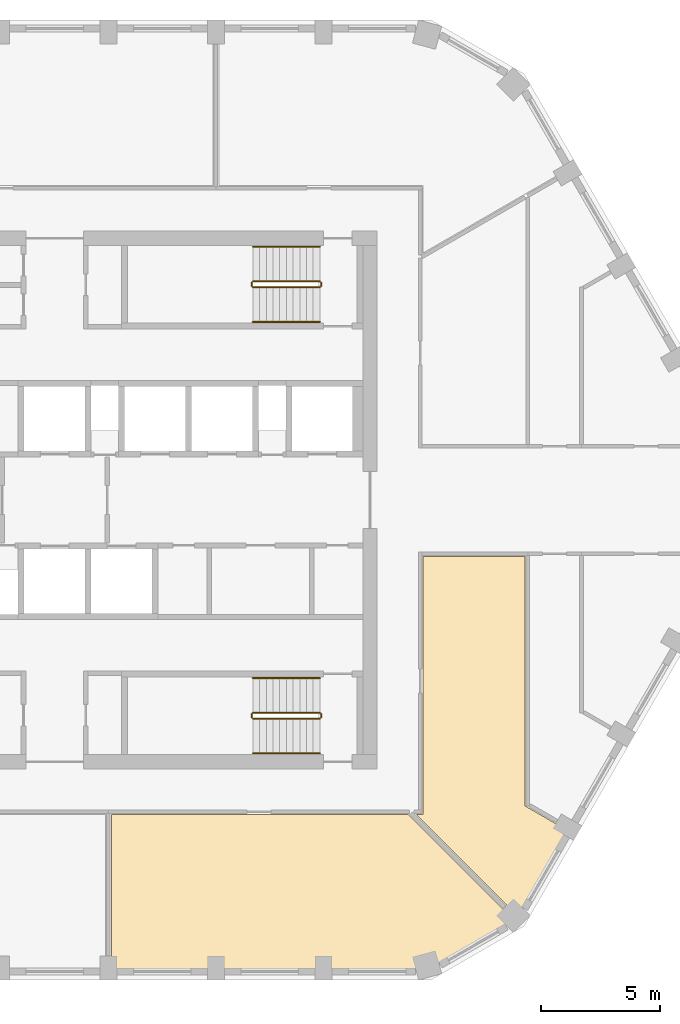
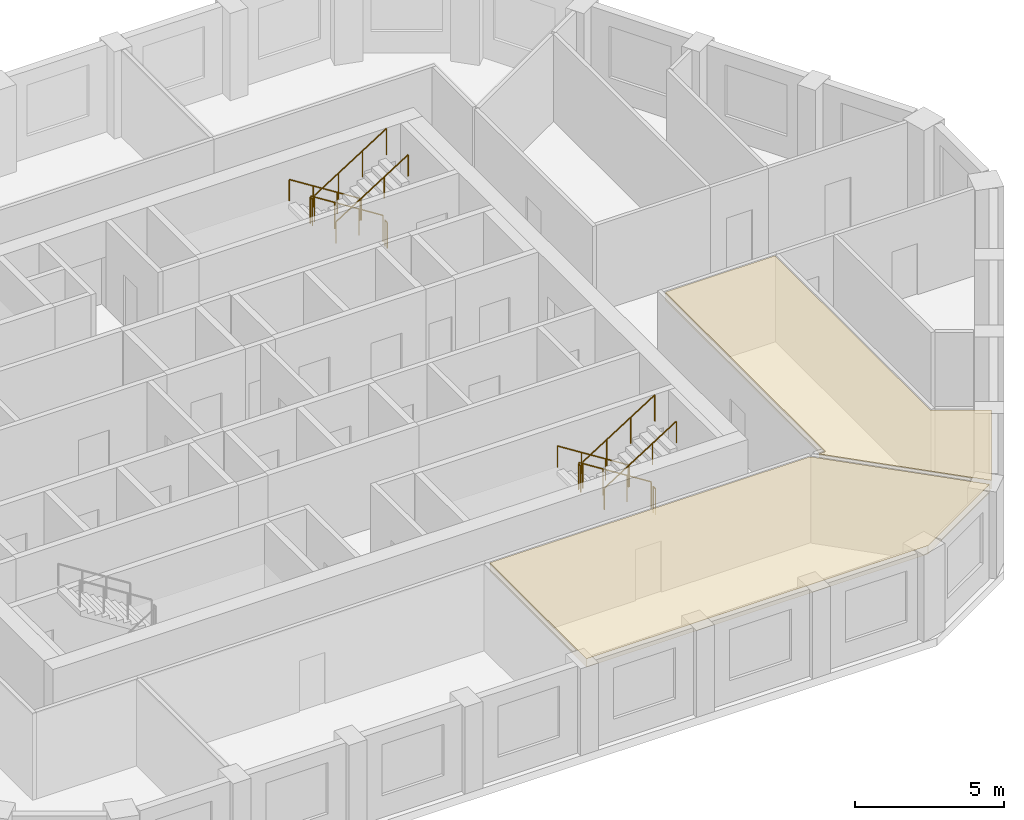
# One storey, part 10 of 11: 12 railings, 2 coverings.
"""IFC4 building model written with IfcOpenShell, lengths in metres."""

from ifc_helpers import new_model, si_unit, direction, frame, origin, origin_2d, place, context, subcontext, project, spatial, polyline, circle, outline, extrude, material, layer, layer_set, type_object, element, save


model = new_model("IFC4")

# Units and contexts
model_context = context("Model", 3, precision=1e-05, world=origin(), true_north=direction((0.0, 1.0)))
body_context = subcontext(model_context, "Body", "Model", "MODEL_VIEW")
ifc_project = project(units=[si_unit("LENGTHUNIT", "METRE"), si_unit("AREAUNIT", "SQUARE_METRE"), si_unit("VOLUMEUNIT", "CUBIC_METRE"), si_unit("PLANEANGLEUNIT", "RADIAN"), si_unit("MASSUNIT", "GRAM", prefix="KILO")], contexts=[model_context])

# Site, building, storey
site_placement = place(None, origin())
site = spatial("IfcSite", under=ifc_project, at=site_placement, CompositionType="ELEMENT")
building_placement = place(site_placement, origin())
building = spatial("IfcBuilding", under=site, at=building_placement, Name="Dhurran Vertical Campus", CompositionType="ELEMENT")
storey_placement = place(building_placement, frame((0.0, 0.0, 270.300048828125)))
storey = spatial("IfcBuildingStorey", under=building, at=storey_placement, Name="L67", CompositionType="ELEMENT", Elevation=270.300048828125)

# Railings
ifc_material_1 = material(Name="Stainless steel balustrade", Category="steel")
railing_type_1 = type_object("IfcRailingType", Name="co-RL-GUARD-1100", PredefinedType="GUARDRAIL", material=ifc_material_1)
railing_1_placement = place(storey_placement, frame((11.10009765625, 9.14990234375, 0.17724609375)))
element("IfcRailing", 1, at=railing_1_placement, inside=storey, type_object=railing_type_1, Name="L67 ST2 stair guard 1", PredefinedType="GUARDRAIL", context=body_context, shape_type="SweptSolid", body=[
    extrude(circle(Radius=0.02392578125, at=origin_2d()), frame((0.0, 0.0, 1.076171875), z_axis=(-0.844908973607, 0.0, 0.534910110503), x_axis=(0.0, -1.0, 0.0)), (0.0, 0.0, 1.0), 3.31396484375),
    extrude(circle(Radius=0.02099609375, at=origin_2d()), origin(), (0.0, 0.0, 1.0), 1.052001953125),
    extrude(circle(Radius=0.02099609375, at=origin_2d()), frame((-0.933349609375, 0.0, 0.5908203125)), (0.0, 0.0, 1.0), 1.052001953125),
    extrude(circle(Radius=0.02099609375, at=origin_2d()), frame((-1.86669921875, 0.0, 1.181884765625)), (0.0, 0.0, 1.0), 1.052001953125),
    extrude(circle(Radius=0.02099609375, at=origin_2d()), frame((-2.800048828125, 0.0, 1.772705078125)), (0.0, 0.0, 1.0), 1.052001953125),
])
railing_2_placement = place(storey_placement, frame((8.25, 9.10009765625, 1.949951171875)))
element("IfcRailing", 2, at=railing_2_placement, inside=storey, type_object=railing_type_1, Name="L67 ST2 stair guard 2", PredefinedType="GUARDRAIL", context=body_context, shape_type="SweptSolid", body=[
    extrude(circle(Radius=0.02392578125, at=origin_2d()), frame((0.0, 0.0, 1.076171875), z_axis=(0.0, -1.0, 0.0), x_axis=(1.0, 0.0, 0.0)), (0.0, 0.0, 1.0), 0.150146484375),
    extrude(circle(Radius=0.02099609375, at=origin_2d()), origin(), (0.0, 0.0, 1.0), 1.052001953125),
    extrude(circle(Radius=0.02099609375, at=origin_2d()), frame((0.0, -0.150146484375, 0.0)), (0.0, 0.0, 1.0), 1.052001953125),
])
railing_3_placement = place(storey_placement, frame((8.300048828125, 8.89990234375, 2.127197265625)))
element("IfcRailing", 3, at=railing_3_placement, inside=storey, type_object=railing_type_1, Name="L67 ST2 stair guard 3", PredefinedType="GUARDRAIL", context=body_context, shape_type="SweptSolid", body=[
    extrude(circle(Radius=0.02392578125, at=origin_2d()), frame((0.0, 0.0, 1.076171875), z_axis=(0.844908973607, 0.0, 0.534910110503), x_axis=(0.0, 1.0, 0.0)), (0.0, 0.0, 1.0), 3.31396484375),
    extrude(circle(Radius=0.02099609375, at=origin_2d()), origin(), (0.0, 0.0, 1.0), 1.052001953125),
    extrude(circle(Radius=0.02099609375, at=origin_2d()), frame((0.933349609375, 0.0, 0.5908203125)), (0.0, 0.0, 1.0), 1.052001953125),
    extrude(circle(Radius=0.02099609375, at=origin_2d()), frame((1.86669921875, 0.0, 1.181884765625)), (0.0, 0.0, 1.0), 1.052001953125),
    extrude(circle(Radius=0.02099609375, at=origin_2d()), frame((2.800048828125, 0.0, 1.772705078125)), (0.0, 0.0, 1.0), 1.052001953125),
])
railing_4_placement = place(storey_placement, frame((11.14990234375, 9.10009765625, 0.0)))
element("IfcRailing", 4, at=railing_4_placement, inside=storey, type_object=railing_type_1, Name="L67 ST2 stair guard 4", PredefinedType="GUARDRAIL", context=body_context, shape_type="SweptSolid", body=[
    extrude(circle(Radius=0.02392578125, at=origin_2d()), frame((0.0, 0.0, 1.076171875), z_axis=(0.0, -1.0, 0.0), x_axis=(1.0, 0.0, 0.0)), (0.0, 0.0, 1.0), 0.150146484375),
    extrude(circle(Radius=0.02099609375, at=origin_2d()), origin(), (0.0, 0.0, 1.0), 1.052001953125),
    extrude(circle(Radius=0.02099609375, at=origin_2d()), frame((0.0, -0.150146484375, 0.0)), (0.0, 0.0, 1.0), 1.052001953125),
])
railing_5_placement = place(storey_placement, frame((11.10009765625, -8.89990234375, 0.17724609375)))
element("IfcRailing", 5, at=railing_5_placement, inside=storey, type_object=railing_type_1, Name="L67 ST4 stair guard 1", PredefinedType="GUARDRAIL", context=body_context, shape_type="SweptSolid", body=[
    extrude(circle(Radius=0.02392578125, at=origin_2d()), frame((0.0, 0.0, 1.076171875), z_axis=(-0.844908973607, 0.0, 0.534910110503), x_axis=(0.0, -1.0, 0.0)), (0.0, 0.0, 1.0), 3.31396484375),
    extrude(circle(Radius=0.02099609375, at=origin_2d()), origin(), (0.0, 0.0, 1.0), 1.052001953125),
    extrude(circle(Radius=0.02099609375, at=origin_2d()), frame((-0.933349609375, 0.0, 0.5908203125)), (0.0, 0.0, 1.0), 1.052001953125),
    extrude(circle(Radius=0.02099609375, at=origin_2d()), frame((-1.86669921875, 0.0, 1.181884765625)), (0.0, 0.0, 1.0), 1.052001953125),
    extrude(circle(Radius=0.02099609375, at=origin_2d()), frame((-2.800048828125, 0.0, 1.772705078125)), (0.0, 0.0, 1.0), 1.052001953125),
])
railing_6_placement = place(storey_placement, frame((8.25, -8.949951171875, 1.949951171875)))
element("IfcRailing", 6, at=railing_6_placement, inside=storey, type_object=railing_type_1, Name="L67 ST4 stair guard 2", PredefinedType="GUARDRAIL", context=body_context, shape_type="SweptSolid", body=[
    extrude(circle(Radius=0.02392578125, at=origin_2d()), frame((0.0, 0.0, 1.076171875), z_axis=(0.0, -1.0, 0.0), x_axis=(1.0, 0.0, 0.0)), (0.0, 0.0, 1.0), 0.150146484375),
    extrude(circle(Radius=0.02099609375, at=origin_2d()), origin(), (0.0, 0.0, 1.0), 1.052001953125),
    extrude(circle(Radius=0.02099609375, at=origin_2d()), frame((0.0, -0.150146484375, 0.0)), (0.0, 0.0, 1.0), 1.052001953125),
])
railing_7_placement = place(storey_placement, frame((8.300048828125, -9.14990234375, 2.127197265625)))
element("IfcRailing", 7, at=railing_7_placement, inside=storey, type_object=railing_type_1, Name="L67 ST4 stair guard 3", PredefinedType="GUARDRAIL", context=body_context, shape_type="SweptSolid", body=[
    extrude(circle(Radius=0.02392578125, at=origin_2d()), frame((0.0, 0.0, 1.076171875), z_axis=(0.844908973607, 0.0, 0.534910110503), x_axis=(0.0, 1.0, 0.0)), (0.0, 0.0, 1.0), 3.31396484375),
    extrude(circle(Radius=0.02099609375, at=origin_2d()), origin(), (0.0, 0.0, 1.0), 1.052001953125),
    extrude(circle(Radius=0.02099609375, at=origin_2d()), frame((0.933349609375, 0.0, 0.5908203125)), (0.0, 0.0, 1.0), 1.052001953125),
    extrude(circle(Radius=0.02099609375, at=origin_2d()), frame((1.86669921875, 0.0, 1.181884765625)), (0.0, 0.0, 1.0), 1.052001953125),
    extrude(circle(Radius=0.02099609375, at=origin_2d()), frame((2.800048828125, 0.0, 1.772705078125)), (0.0, 0.0, 1.0), 1.052001953125),
])
railing_8_placement = place(storey_placement, frame((11.14990234375, -8.949951171875, 0.0)))
element("IfcRailing", 8, at=railing_8_placement, inside=storey, type_object=railing_type_1, Name="L67 ST4 stair guard 4", PredefinedType="GUARDRAIL", context=body_context, shape_type="SweptSolid", body=[
    extrude(circle(Radius=0.02392578125, at=origin_2d()), frame((0.0, 0.0, 1.076171875), z_axis=(0.0, -1.0, 0.0), x_axis=(1.0, 0.0, 0.0)), (0.0, 0.0, 1.0), 0.150146484375),
    extrude(circle(Radius=0.02099609375, at=origin_2d()), origin(), (0.0, 0.0, 1.0), 1.052001953125),
    extrude(circle(Radius=0.02099609375, at=origin_2d()), frame((0.0, -0.150146484375, 0.0)), (0.0, 0.0, 1.0), 1.052001953125),
])
ifc_material_2 = material(Name="Stainless steel handrail", Category="steel")
railing_type_2 = type_object("IfcRailingType", Name="co-RL-HANDRAIL-900", PredefinedType="HANDRAIL", material=ifc_material_2)
railing_9_placement = place(storey_placement, frame((11.10009765625, 10.60009765625, 0.17724609375)))
element("IfcRailing", 9, at=railing_9_placement, inside=storey, type_object=railing_type_2, Name="L67 ST2 stair handrail 1", PredefinedType="HANDRAIL", context=body_context, shape_type="SweptSolid", body=[
    extrude(circle(Radius=0.02392578125, at=origin_2d()), frame((0.0, 0.0, 0.8759765625), z_axis=(-0.844908973607, 0.0, 0.534910110503), x_axis=(0.0, -1.0, 0.0)), (0.0, 0.0, 1.0), 3.31396484375),
    extrude(circle(Radius=0.02099609375, at=origin_2d()), origin(), (0.0, 0.0, 1.0), 0.851806640625),
    extrude(circle(Radius=0.02099609375, at=origin_2d()), frame((-0.933349609375, 0.0, 0.5908203125)), (0.0, 0.0, 1.0), 0.851806640625),
    extrude(circle(Radius=0.02099609375, at=origin_2d()), frame((-1.86669921875, 0.0, 1.181884765625)), (0.0, 0.0, 1.0), 0.851806640625),
    extrude(circle(Radius=0.02099609375, at=origin_2d()), frame((-2.800048828125, 0.0, 1.772705078125)), (0.0, 0.0, 1.0), 0.851806640625),
])
railing_10_placement = place(storey_placement, frame((8.300048828125, 7.449951171875, 2.127197265625)))
element("IfcRailing", 10, at=railing_10_placement, inside=storey, type_object=railing_type_2, Name="L67 ST2 stair handrail 2", PredefinedType="HANDRAIL", context=body_context, shape_type="SweptSolid", body=[
    extrude(circle(Radius=0.02392578125, at=origin_2d()), frame((0.0, 0.0, 0.8759765625), z_axis=(0.844908973607, 0.0, 0.534910110503), x_axis=(0.0, 1.0, 0.0)), (0.0, 0.0, 1.0), 3.31396484375),
    extrude(circle(Radius=0.02099609375, at=origin_2d()), origin(), (0.0, 0.0, 1.0), 0.851806640625),
    extrude(circle(Radius=0.02099609375, at=origin_2d()), frame((0.933349609375, 0.0, 0.5908203125)), (0.0, 0.0, 1.0), 0.851806640625),
    extrude(circle(Radius=0.02099609375, at=origin_2d()), frame((1.86669921875, 0.0, 1.181884765625)), (0.0, 0.0, 1.0), 0.851806640625),
    extrude(circle(Radius=0.02099609375, at=origin_2d()), frame((2.800048828125, 0.0, 1.772705078125)), (0.0, 0.0, 1.0), 0.851806640625),
])
railing_11_placement = place(storey_placement, frame((11.10009765625, -7.449951171875, 0.17724609375)))
element("IfcRailing", 11, at=railing_11_placement, inside=storey, type_object=railing_type_2, Name="L67 ST4 stair handrail 1", PredefinedType="HANDRAIL", context=body_context, shape_type="SweptSolid", body=[
    extrude(circle(Radius=0.02392578125, at=origin_2d()), frame((0.0, 0.0, 0.8759765625), z_axis=(-0.844908973607, 0.0, 0.534910110503), x_axis=(0.0, -1.0, 0.0)), (0.0, 0.0, 1.0), 3.31396484375),
    extrude(circle(Radius=0.02099609375, at=origin_2d()), origin(), (0.0, 0.0, 1.0), 0.851806640625),
    extrude(circle(Radius=0.02099609375, at=origin_2d()), frame((-0.933349609375, 0.0, 0.5908203125)), (0.0, 0.0, 1.0), 0.851806640625),
    extrude(circle(Radius=0.02099609375, at=origin_2d()), frame((-1.86669921875, 0.0, 1.181884765625)), (0.0, 0.0, 1.0), 0.851806640625),
    extrude(circle(Radius=0.02099609375, at=origin_2d()), frame((-2.800048828125, 0.0, 1.772705078125)), (0.0, 0.0, 1.0), 0.851806640625),
])
railing_12_placement = place(storey_placement, frame((8.300048828125, -10.60009765625, 2.127197265625)))
element("IfcRailing", 12, at=railing_12_placement, inside=storey, type_object=railing_type_2, Name="L67 ST4 stair handrail 2", PredefinedType="HANDRAIL", context=body_context, shape_type="SweptSolid", body=[
    extrude(circle(Radius=0.02392578125, at=origin_2d()), frame((0.0, 0.0, 0.8759765625), z_axis=(0.844908973607, 0.0, 0.534910110503), x_axis=(0.0, 1.0, 0.0)), (0.0, 0.0, 1.0), 3.31396484375),
    extrude(circle(Radius=0.02099609375, at=origin_2d()), origin(), (0.0, 0.0, 1.0), 0.851806640625),
    extrude(circle(Radius=0.02099609375, at=origin_2d()), frame((0.933349609375, 0.0, 0.5908203125)), (0.0, 0.0, 1.0), 0.851806640625),
    extrude(circle(Radius=0.02099609375, at=origin_2d()), frame((1.86669921875, 0.0, 1.181884765625)), (0.0, 0.0, 1.0), 0.851806640625),
    extrude(circle(Radius=0.02099609375, at=origin_2d()), frame((2.800048828125, 0.0, 1.772705078125)), (0.0, 0.0, 1.0), 0.851806640625),
])

# Coverings
ifc_material_3 = material(Name="Mineral fibre ceiling tiles on suspended grid")
ifc_layer = layer(ifc_material_3, 0.35009765625)
ifc_layer_set = layer_set([ifc_layer], Name="Mineral fibre ceiling tiles on suspended grid")
covering_type = type_object("IfcCoveringType", Name="fl-CE-350 suspended ceiling", PredefinedType="CEILING", material=ifc_layer_set)
covering_1_placement = place(storey_placement, frame((0.0, 0.0, 3.224853515625)))
element("IfcCovering", 13, at=covering_1_placement, inside=storey, type_object=covering_type, Name="Ceiling 67-11", PredefinedType="CEILING", context=body_context, shape_type="SweptSolid", body=[
    extrude(outline(polyline([(19.23193359375, -17.593017578125), (15.637939453125, -19.66796875), (2.3701171875, -19.66796875), (2.3701171875, -13.169921875), (14.80908203125, -13.169921875), (19.23193359375, -17.593017578125)])), origin(), (0.0, 0.0, 1.0), 0.35009765625),
])
covering_2_placement = place(storey_placement, frame((0.0, 0.0, 3.224853515625)))
element("IfcCovering", 14, at=covering_2_placement, inside=storey, type_object=covering_type, Name="Ceiling 67-14", PredefinedType="CEILING", context=body_context, shape_type="SweptSolid", body=[
    extrude(outline(polyline([(19.696044921875, -16.9130859375), (19.40087890625, -17.424072265625), (15.14892578125, -13.169921875), (15.419921875, -13.169921875), (15.419921875, -2.3701171875), (19.679931640625, -2.3701171875), (19.679931640625, -12.800048828125), (21.472900390625, -13.8349609375), (19.696044921875, -16.9130859375)])), origin(), (0.0, 0.0, 1.0), 0.35009765625),
])

save(model, "model.ifc")
